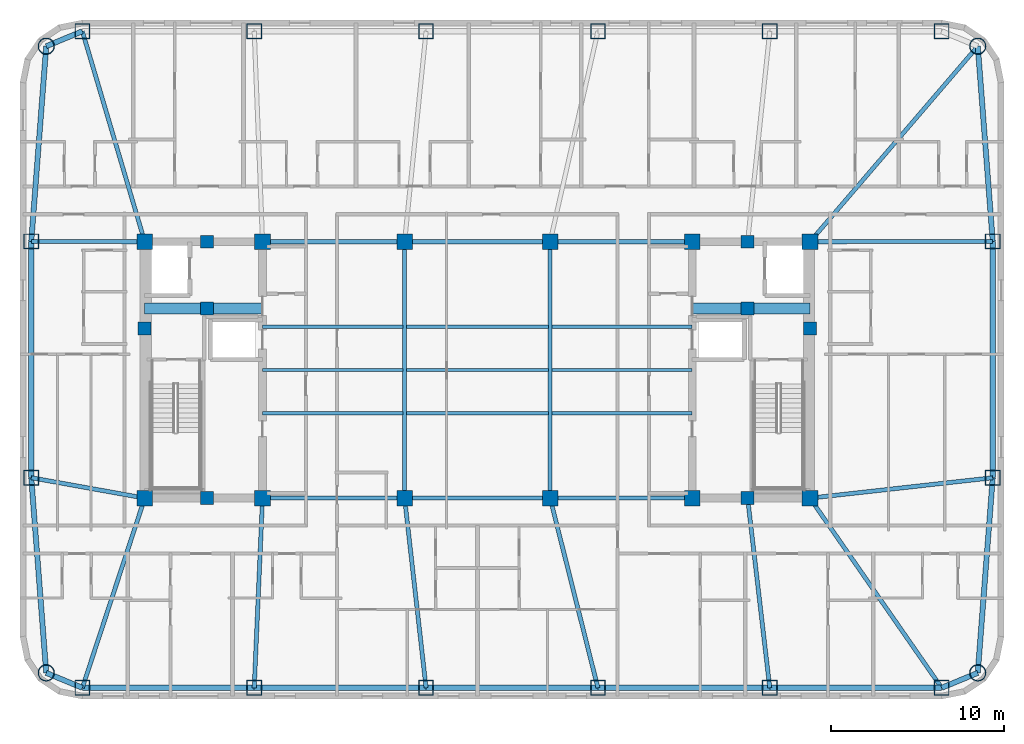
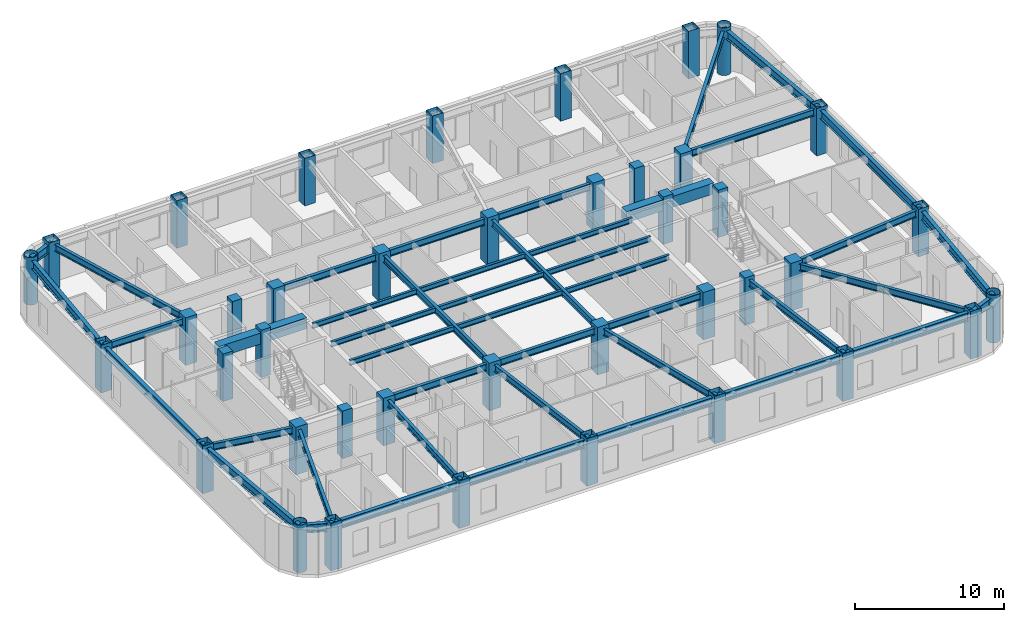
# One storey, part 1 of 11: 45 beams, 40 columns.
"""IFC4 building model written with IfcOpenShell, lengths in metres."""

from ifc_helpers import new_model, si_unit, direction, frame, origin, origin_2d, place, context, subcontext, project, spatial, rectangle, hollow_rectangle, hollow_circle, i_section, extrude, material, material_profile, profile_set, type_object, element, save


model = new_model("IFC4")

# Units and contexts
model_context = context("Model", 3, precision=1e-05, world=origin(), true_north=direction((0.0, 1.0)))
body_context = subcontext(model_context, "Body", "Model", "MODEL_VIEW")
ifc_project = project(units=[si_unit("LENGTHUNIT", "METRE"), si_unit("AREAUNIT", "SQUARE_METRE"), si_unit("VOLUMEUNIT", "CUBIC_METRE"), si_unit("PLANEANGLEUNIT", "RADIAN"), si_unit("MASSUNIT", "GRAM", prefix="KILO")], contexts=[model_context])

# Site, building, storey
site_placement = place(None, origin())
site = spatial("IfcSite", under=ifc_project, at=site_placement, CompositionType="ELEMENT")
building_placement = place(site_placement, origin())
building = spatial("IfcBuilding", under=site, at=building_placement, Name="Voryun Gate Residences", CompositionType="ELEMENT")
storey_placement = place(building_placement, frame((0.0, 0.0, 247.0)))
storey = spatial("IfcBuildingStorey", under=building, at=storey_placement, Name="L61", CompositionType="ELEMENT", Elevation=247.0)

# Columns
ifc_material_1 = material(Name="Concrete C50/60", Category="concrete")
ifc_material_profile_1 = material_profile(ifc_material_1, rectangle(XDim=0.75, YDim=0.75, at=origin_2d()), Name="RC-750x750")
ifc_profile_set_1 = profile_set([ifc_material_profile_1], Name="Concrete C50/60")
column_type_1 = type_object("IfcColumnType", Name="COL_CORE_750", PredefinedType="COLUMN", material=ifc_profile_set_1)
for number, where, z_axis, x_axis, name in (
    (1, (-19.199951171875, 2.39990234375, 0.0), (0.0, 0.0, 1.0), (1.0, 0.0, 0.0), "L61 Core boundary column WC-MW"),
    (2, (-15.60009765625, -7.39990234375, 0.0), (0.0, 0.0, 1.0), (1.0, 0.0, 0.0), "L61 Core boundary column WC-SM"),
    (3, (-15.60009765625, 7.39990234375, 0.0), (0.0, 0.0, 1.0), (1.0, 0.0, 0.0), "L61 Core boundary column WC-NM"),
    (4, (-15.60009765625, 3.550048828125, 0.0), (0.0, 0.0, 1.0), (1.0, 0.0, 0.0), "L61 Core boundary column WC-MM"),
    (5, (15.60009765625, 3.550048828125, 0.0), (0.0, 0.0, 1.0), (1.0, 0.0, 0.0), "L61 Core boundary column EC-MM"),
    (6, (15.60009765625, -7.39990234375, 0.0), (0.0, 0.0, 1.0), (1.0, 0.0, 0.0), "L61 Core boundary column EC-SM"),
    (7, (15.60009765625, 7.39990234375, 0.0), (0.0, 0.0, 1.0), (1.0, 0.0, 0.0), "L61 Core boundary column EC-NM"),
    (8, (19.199951171875, 2.39990234375, 0.0), (0.0, 0.0, 1.0), (1.0, 0.0, 0.0), "L61 Core boundary column EC-ME"),
):
    element("IfcColumn", number, at=place(storey_placement, frame(where, z_axis=z_axis, x_axis=x_axis)), inside=storey, type_object=column_type_1, Name=name, PredefinedType="COLUMN", context=body_context, shape_type="SweptSolid", body=[
        extrude(rectangle(XDim=0.75, YDim=0.75, at=origin_2d()), origin(), (0.0, 0.0, 1.0), 3.89990234375),
    ])
ifc_material_2 = material(Name="Concrete C50/60", Category="concrete")
ifc_material_profile_2 = material_profile(ifc_material_2, rectangle(XDim=0.89990234375, YDim=0.89990234375, at=origin_2d()), Name="RC-900x900")
ifc_profile_set_2 = profile_set([ifc_material_profile_2], Name="Concrete C50/60")
column_type_2 = type_object("IfcColumnType", Name="COL_CORE_900", PredefinedType="COLUMN", material=ifc_profile_set_2)
for number, where, z_axis, x_axis, name in (
    (9, (-19.199951171875, -7.39990234375, 0.0), (0.0, 0.0, 1.0), (1.0, 0.0, 0.0), "L61 Core boundary column WC-SW"),
    (10, (-19.199951171875, 7.39990234375, 0.0), (0.0, 0.0, 1.0), (1.0, 0.0, 0.0), "L61 Core boundary column WC-NW"),
    (11, (-12.39990234375, -7.39990234375, 0.0), (0.0, 0.0, 1.0), (1.0, 0.0, 0.0), "L61 Core boundary column WC-SE"),
    (12, (-12.39990234375, 7.39990234375, 0.0), (0.0, 0.0, 1.0), (1.0, 0.0, 0.0), "L61 Core boundary column WC-NE"),
    (13, (12.39990234375, -7.39990234375, 0.0), (0.0, 0.0, 1.0), (1.0, 0.0, 0.0), "L61 Core boundary column EC-SW"),
    (14, (12.39990234375, 7.39990234375, 0.0), (0.0, 0.0, 1.0), (1.0, 0.0, 0.0), "L61 Core boundary column EC-NW"),
    (15, (19.199951171875, -7.39990234375, 0.0), (0.0, 0.0, 1.0), (1.0, 0.0, 0.0), "L61 Core boundary column EC-SE"),
    (16, (19.199951171875, 7.39990234375, 0.0), (0.0, 0.0, 1.0), (1.0, 0.0, 0.0), "L61 Core boundary column EC-NE"),
    (17, (-4.199951171875, -7.39990234375, 0.0), (0.0, 0.0, 1.0), (1.0, 0.0, 0.0), "L61 Interior spine column SP-WS"),
    (18, (-4.199951171875, 7.39990234375, 0.0), (0.0, 0.0, 1.0), (1.0, 0.0, 0.0), "L61 Interior spine column SP-WN"),
    (19, (4.199951171875, -7.39990234375, 0.0), (0.0, 0.0, 1.0), (1.0, 0.0, 0.0), "L61 Interior spine column SP-ES"),
    (20, (4.199951171875, 7.39990234375, 0.0), (0.0, 0.0, 1.0), (1.0, 0.0, 0.0), "L61 Interior spine column SP-EN"),
):
    element("IfcColumn", number, at=place(storey_placement, frame(where, z_axis=z_axis, x_axis=x_axis)), inside=storey, type_object=column_type_2, Name=name, PredefinedType="COLUMN", context=body_context, shape_type="SweptSolid", body=[
        extrude(rectangle(XDim=0.89990234375, YDim=0.89990234375, at=origin_2d()), origin(), (0.0, 0.0, 1.0), 3.89990234375),
    ])
ifc_material_3 = material(Name="Steel SM420", Category="steel")
ifc_material_profile_3 = material_profile(ifc_material_3, hollow_circle(Radius=0.47509765625, WallThickness=0.031982421875, at=origin_2d()), Name="CHS-950x32")
ifc_profile_set_3 = profile_set([ifc_material_profile_3], Name="Steel SM420")
column_type_3 = type_object("IfcColumnType", Name="COL_CRN_950", PredefinedType="COLUMN", material=ifc_profile_set_3)
for number, where, z_axis, x_axis, name in (
    (21, (28.885986328125, -17.486083984375, 0.0), (0.0, 0.0, 1.0), (1.0, 0.0, 0.0), "L61 Exoskeleton column CSE"),
    (22, (28.885986328125, 18.68603515625, 0.0), (0.0, 0.0, 1.0), (1.0, 0.0, 0.0), "L61 Exoskeleton column CNE"),
    (23, (-24.885986328125, 18.68603515625, 0.0), (0.0, 0.0, 1.0), (1.0, 0.0, 0.0), "L61 Exoskeleton column CNW"),
    (24, (-24.885986328125, -17.486083984375, 0.0), (0.0, 0.0, 1.0), (1.0, 0.0, 0.0), "L61 Exoskeleton column CSW"),
):
    element("IfcColumn", number, at=place(storey_placement, frame(where, z_axis=z_axis, x_axis=x_axis)), inside=storey, type_object=column_type_3, Name=name, PredefinedType="COLUMN", context=body_context, shape_type="SweptSolid", body=[
        extrude(hollow_circle(Radius=0.47509765625, WallThickness=0.031982421875, at=origin_2d()), origin(), (0.0, 0.0, 1.0), 3.89990234375),
    ])
ifc_material_4 = material(Name="Steel SM355", Category="steel")
ifc_material_profile_4 = material_profile(ifc_material_4, hollow_rectangle(XDim=0.85009765625, YDim=0.85009765625, WallThickness=0.028076171875, at=origin_2d()), Name="BOX-850x850x28")
ifc_profile_set_4 = profile_set([ifc_material_profile_4], Name="Steel SM355")
column_type_4 = type_object("IfcColumnType", Name="COL_EXO_B4", PredefinedType="COLUMN", material=ifc_profile_set_4)
for number, where, z_axis, x_axis, name in (
    (25, (-22.800048828125, -18.35009765625, 0.0), (0.0, 0.0, 1.0), (1.0, 0.0, 0.0), "L61 Exoskeleton column S1"),
    (26, (-12.8798828125, -18.35009765625, 0.0), (0.0, 0.0, 1.0), (1.0, 0.0, 0.0), "L61 Exoskeleton column S2"),
    (27, (-2.9599609375, -18.35009765625, 0.0), (0.0, 0.0, 1.0), (1.0, 0.0, 0.0), "L61 Exoskeleton column S3"),
    (28, (6.9599609375, -18.35009765625, 0.0), (0.0, 0.0, 1.0), (1.0, 0.0, 0.0), "L61 Exoskeleton column S4"),
    (29, (16.8798828125, -18.35009765625, 0.0), (0.0, 0.0, 1.0), (1.0, 0.0, 0.0), "L61 Exoskeleton column S5"),
    (30, (26.800048828125, -18.35009765625, 0.0), (0.0, 0.0, 1.0), (1.0, 0.0, 0.0), "L61 Exoskeleton column S6"),
    (31, (29.75, -6.221923828125, 0.0), (0.0, 0.0, 1.0), (1.0, 0.0, 0.0), "L61 Exoskeleton column E1"),
    (32, (29.75, 7.422119140625, 0.0), (0.0, 0.0, 1.0), (1.0, 0.0, 0.0), "L61 Exoskeleton column E2"),
    (33, (26.800048828125, 19.550048828125, 0.0), (0.0, 0.0, 1.0), (1.0, 0.0, 0.0), "L61 Exoskeleton column N1"),
    (34, (16.8798828125, 19.550048828125, 0.0), (0.0, 0.0, 1.0), (1.0, 0.0, 0.0), "L61 Exoskeleton column N2"),
    (35, (6.9599609375, 19.550048828125, 0.0), (0.0, 0.0, 1.0), (1.0, 0.0, 0.0), "L61 Exoskeleton column N3"),
    (36, (-2.9599609375, 19.550048828125, 0.0), (0.0, 0.0, 1.0), (1.0, 0.0, 0.0), "L61 Exoskeleton column N4"),
    (37, (-12.8798828125, 19.550048828125, 0.0), (0.0, 0.0, 1.0), (1.0, 0.0, 0.0), "L61 Exoskeleton column N5"),
    (38, (-22.800048828125, 19.550048828125, 0.0), (0.0, 0.0, 1.0), (1.0, 0.0, 0.0), "L61 Exoskeleton column N6"),
    (39, (-25.75, 7.422119140625, 0.0), (0.0, 0.0, 1.0), (1.0, 0.0, 0.0), "L61 Exoskeleton column W1"),
    (40, (-25.75, -6.221923828125, 0.0), (0.0, 0.0, 1.0), (1.0, 0.0, 0.0), "L61 Exoskeleton column W2"),
):
    element("IfcColumn", number, at=place(storey_placement, frame(where, z_axis=z_axis, x_axis=x_axis)), inside=storey, type_object=column_type_4, Name=name, PredefinedType="COLUMN", context=body_context, shape_type="SweptSolid", body=[
        extrude(hollow_rectangle(XDim=0.85009765625, YDim=0.85009765625, WallThickness=0.028076171875, at=origin_2d()), origin(), (0.0, 0.0, 1.0), 3.89990234375),
    ])

# Beams
ifc_material_5 = material(Name="Concrete C60/75", Category="concrete")
ifc_material_profile_5 = material_profile(ifc_material_5, rectangle(XDim=0.64990234375, YDim=0.89990234375, at=origin_2d()), Name="RC-650x900")
ifc_profile_set_5 = profile_set([ifc_material_profile_5], Name="Concrete C60/75")
beam_type_1 = type_object("IfcBeamType", Name="BM_COUP_RC900", PredefinedType="LINTEL", material=ifc_profile_set_5)
for number, where, z_axis, x_axis, name in (
    (41, (-19.199951171875, 3.550048828125, 3.199951171875), (1.0, 0.0, 0.0), (0.0, 1.0, 0.0), "BM-L61-WC1"),
    (42, (12.39990234375, 3.550048828125, 3.199951171875), (1.0, 0.0, 0.0), (0.0, 1.0, 0.0), "BM-L61-EC1"),
):
    element("IfcBeam", number, at=place(storey_placement, frame(where, z_axis=z_axis, x_axis=x_axis)), inside=storey, type_object=beam_type_1, Name=name, PredefinedType="LINTEL", context=body_context, shape_type="SweptSolid", body=[
        extrude(rectangle(XDim=0.64990234375, YDim=0.89990234375, at=origin_2d()), origin(), (0.0, 0.0, 1.0), 6.800048828125),
    ])
ifc_material_6 = material(Name="Steel SM355", Category="steel")
ifc_material_profile_6 = material_profile(ifc_material_6, i_section(OverallWidth=0.300048828125, OverallDepth=0.679931640625, WebThickness=0.013916015625, FlangeThickness=0.02490234375, FilletRadius=0.01806640625, at=origin_2d()), Name="H-680x300x14x25")
ifc_profile_set_6 = profile_set([ifc_material_profile_6], Name="Steel SM355")
beam_type_2 = type_object("IfcBeamType", Name="BM_EXO_SPANDREL_M", PredefinedType="SPANDREL", material=ifc_profile_set_6)
beam_1_placement = place(storey_placement, frame((-22.800048828125, -18.35009765625, 3.31005859375), z_axis=(1.0, 0.0, 0.0), x_axis=(0.0, 1.0, 0.0)))
element("IfcBeam", 43, at=beam_1_placement, inside=storey, type_object=beam_type_2, Name="BM-L61-SPAND-01", PredefinedType="SPANDREL", context=body_context, shape_type="SweptSolid", body=[
    extrude(i_section(OverallWidth=0.300048828125, OverallDepth=0.679931640625, WebThickness=0.013916015625, FlangeThickness=0.02490234375, FilletRadius=0.01806640625, at=origin_2d()), origin(), (0.0, 0.0, 1.0), 9.920166015625),
])
for number, where, z_axis, x_axis, name in (
    (44, (-12.8798828125, -18.35009765625, 3.31005859375), (1.0, 0.0, 0.0), (0.0, 1.0, 0.0), "BM-L61-SPAND-02"),
    (45, (-2.9599609375, -18.35009765625, 3.31005859375), (1.0, 0.0, 0.0), (0.0, 1.0, 0.0), "BM-L61-SPAND-03"),
    (46, (6.9599609375, -18.35009765625, 3.31005859375), (1.0, 0.0, 0.0), (0.0, 1.0, 0.0), "BM-L61-SPAND-04"),
):
    element("IfcBeam", number, at=place(storey_placement, frame(where, z_axis=z_axis, x_axis=x_axis)), inside=storey, type_object=beam_type_2, Name=name, PredefinedType="SPANDREL", context=body_context, shape_type="SweptSolid", body=[
        extrude(i_section(OverallWidth=0.300048828125, OverallDepth=0.679931640625, WebThickness=0.013916015625, FlangeThickness=0.02490234375, FilletRadius=0.01806640625, at=origin_2d()), origin(), (0.0, 0.0, 1.0), 9.919921875),
    ])
beam_2_placement = place(storey_placement, frame((16.8798828125, -18.35009765625, 3.31005859375), z_axis=(1.0, 0.0, 0.0), x_axis=(0.0, 1.0, 0.0)))
element("IfcBeam", 47, at=beam_2_placement, inside=storey, type_object=beam_type_2, Name="BM-L61-SPAND-05", PredefinedType="SPANDREL", context=body_context, shape_type="SweptSolid", body=[
    extrude(i_section(OverallWidth=0.300048828125, OverallDepth=0.679931640625, WebThickness=0.013916015625, FlangeThickness=0.02490234375, FilletRadius=0.01806640625, at=origin_2d()), origin(), (0.0, 0.0, 1.0), 9.920166015625),
])
beam_3_placement = place(storey_placement, frame((26.800048828125, -18.35009765625, 3.31005859375), z_axis=(0.923881087602, 0.382679678022, 0.0), x_axis=(-0.382679678022, 0.923881087602, 0.0)))
element("IfcBeam", 48, at=beam_3_placement, inside=storey, type_object=beam_type_2, Name="BM-L61-SPAND-06", PredefinedType="SPANDREL", context=body_context, shape_type="SweptSolid", body=[
    extrude(i_section(OverallWidth=0.300048828125, OverallDepth=0.679931640625, WebThickness=0.013916015625, FlangeThickness=0.02490234375, FilletRadius=0.01806640625, at=origin_2d()), origin(), (0.0, 0.0, 1.0), 2.2578125),
])
beam_4_placement = place(storey_placement, frame((28.885986328125, -17.486083984375, 3.31005859375), z_axis=(0.076480009441, 0.997071114894, 0.0), x_axis=(-0.997071114894, 0.076480009441, 0.0)))
element("IfcBeam", 49, at=beam_4_placement, inside=storey, type_object=beam_type_2, Name="BM-L61-SPAND-07", PredefinedType="SPANDREL", context=body_context, shape_type="SweptSolid", body=[
    extrude(i_section(OverallWidth=0.300048828125, OverallDepth=0.679931640625, WebThickness=0.013916015625, FlangeThickness=0.02490234375, FilletRadius=0.01806640625, at=origin_2d()), origin(), (0.0, 0.0, 1.0), 11.29736328125),
])
beam_5_placement = place(storey_placement, frame((29.75, -6.221923828125, 3.31005859375), z_axis=(0.0, 1.0, 0.0), x_axis=(-1.0, 0.0, 0.0)))
element("IfcBeam", 50, at=beam_5_placement, inside=storey, type_object=beam_type_2, Name="BM-L61-SPAND-08", PredefinedType="SPANDREL", context=body_context, shape_type="SweptSolid", body=[
    extrude(i_section(OverallWidth=0.300048828125, OverallDepth=0.679931640625, WebThickness=0.013916015625, FlangeThickness=0.02490234375, FilletRadius=0.01806640625, at=origin_2d()), origin(), (0.0, 0.0, 1.0), 13.64404296875),
])
beam_6_placement = place(storey_placement, frame((29.75, 7.422119140625, 3.31005859375), z_axis=(-0.076481657417, 0.997070988485, 0.0), x_axis=(-0.997070988485, -0.076481657417, 0.0)))
element("IfcBeam", 51, at=beam_6_placement, inside=storey, type_object=beam_type_2, Name="BM-L61-SPAND-09", PredefinedType="SPANDREL", context=body_context, shape_type="SweptSolid", body=[
    extrude(i_section(OverallWidth=0.300048828125, OverallDepth=0.679931640625, WebThickness=0.013916015625, FlangeThickness=0.02490234375, FilletRadius=0.01806640625, at=origin_2d()), origin(), (0.0, 0.0, 1.0), 11.297119140625),
])
beam_7_placement = place(storey_placement, frame((-22.800048828125, 19.550048828125, 3.31005859375), z_axis=(-0.923881087602, -0.382679678022, 0.0), x_axis=(0.382679678022, -0.923881087602, 0.0)))
element("IfcBeam", 52, at=beam_7_placement, inside=storey, type_object=beam_type_2, Name="BM-L61-SPAND-16", PredefinedType="SPANDREL", context=body_context, shape_type="SweptSolid", body=[
    extrude(i_section(OverallWidth=0.300048828125, OverallDepth=0.679931640625, WebThickness=0.013916015625, FlangeThickness=0.02490234375, FilletRadius=0.01806640625, at=origin_2d()), origin(), (0.0, 0.0, 1.0), 2.2578125),
])
beam_8_placement = place(storey_placement, frame((-24.885986328125, 18.68603515625, 3.31005859375), z_axis=(-0.076481657417, -0.997070988485, 0.0), x_axis=(0.997070988485, -0.076481657417, 0.0)))
element("IfcBeam", 53, at=beam_8_placement, inside=storey, type_object=beam_type_2, Name="BM-L61-SPAND-17", PredefinedType="SPANDREL", context=body_context, shape_type="SweptSolid", body=[
    extrude(i_section(OverallWidth=0.300048828125, OverallDepth=0.679931640625, WebThickness=0.013916015625, FlangeThickness=0.02490234375, FilletRadius=0.01806640625, at=origin_2d()), origin(), (0.0, 0.0, 1.0), 11.297119140625),
])
beam_9_placement = place(storey_placement, frame((-25.75, 7.422119140625, 3.31005859375), z_axis=(0.0, -1.0, 0.0), x_axis=(1.0, 0.0, 0.0)))
element("IfcBeam", 54, at=beam_9_placement, inside=storey, type_object=beam_type_2, Name="BM-L61-SPAND-18", PredefinedType="SPANDREL", context=body_context, shape_type="SweptSolid", body=[
    extrude(i_section(OverallWidth=0.300048828125, OverallDepth=0.679931640625, WebThickness=0.013916015625, FlangeThickness=0.02490234375, FilletRadius=0.01806640625, at=origin_2d()), origin(), (0.0, 0.0, 1.0), 13.64404296875),
])
beam_10_placement = place(storey_placement, frame((-25.75, -6.221923828125, 3.31005859375), z_axis=(0.076480009441, -0.997071114894, 0.0), x_axis=(0.997071114894, 0.076480009441, 0.0)))
element("IfcBeam", 55, at=beam_10_placement, inside=storey, type_object=beam_type_2, Name="BM-L61-SPAND-19", PredefinedType="SPANDREL", context=body_context, shape_type="SweptSolid", body=[
    extrude(i_section(OverallWidth=0.300048828125, OverallDepth=0.679931640625, WebThickness=0.013916015625, FlangeThickness=0.02490234375, FilletRadius=0.01806640625, at=origin_2d()), origin(), (0.0, 0.0, 1.0), 11.29736328125),
])
beam_11_placement = place(storey_placement, frame((-24.885986328125, -17.486083984375, 3.31005859375), z_axis=(0.923881087602, -0.382679678022, 0.0), x_axis=(0.382679678022, 0.923881087602, 0.0)))
element("IfcBeam", 56, at=beam_11_placement, inside=storey, type_object=beam_type_2, Name="BM-L61-SPAND-20", PredefinedType="SPANDREL", context=body_context, shape_type="SweptSolid", body=[
    extrude(i_section(OverallWidth=0.300048828125, OverallDepth=0.679931640625, WebThickness=0.013916015625, FlangeThickness=0.02490234375, FilletRadius=0.01806640625, at=origin_2d()), origin(), (0.0, 0.0, 1.0), 2.2578125),
])
ifc_material_7 = material(Name="Steel SM355", Category="steel")
ifc_material_profile_7 = material_profile(ifc_material_7, i_section(OverallWidth=0.239990234375, OverallDepth=0.550048828125, WebThickness=0.011962890625, FlangeThickness=0.02001953125, FilletRadius=0.01806640625, at=origin_2d()), Name="H-550x240x12x20")
ifc_profile_set_7 = profile_set([ifc_material_profile_7], Name="Steel SM355")
beam_type_3 = type_object("IfcBeamType", Name="BM_GIRD_550", PredefinedType="USERDEFINED", material=ifc_profile_set_7)
beam_12_placement = place(storey_placement, frame((-12.39990234375, -7.39990234375, 3.375), z_axis=(1.0, 0.0, 0.0), x_axis=(0.0, 1.0, 0.0)))
element("IfcBeam", 57, at=beam_12_placement, inside=storey, type_object=beam_type_3, Name="BM-L61-SPG1-S", ObjectType="GIRDER", PredefinedType="USERDEFINED", context=body_context, shape_type="SweptSolid", body=[
    extrude(i_section(OverallWidth=0.239990234375, OverallDepth=0.550048828125, WebThickness=0.011962890625, FlangeThickness=0.02001953125, FilletRadius=0.01806640625, at=origin_2d()), origin(), (0.0, 0.0, 1.0), 8.199951171875),
])
beam_13_placement = place(storey_placement, frame((-4.199951171875, -7.39990234375, 3.375), z_axis=(1.0, 0.0, 0.0), x_axis=(0.0, 1.0, 0.0)))
element("IfcBeam", 58, at=beam_13_placement, inside=storey, type_object=beam_type_3, Name="BM-L61-SPG2-S", ObjectType="GIRDER", PredefinedType="USERDEFINED", context=body_context, shape_type="SweptSolid", body=[
    extrude(i_section(OverallWidth=0.239990234375, OverallDepth=0.550048828125, WebThickness=0.011962890625, FlangeThickness=0.02001953125, FilletRadius=0.01806640625, at=origin_2d()), origin(), (0.0, 0.0, 1.0), 8.39990234375),
])
for number, where, z_axis, x_axis, name in (
    (59, (4.199951171875, -7.39990234375, 3.375), (1.0, 0.0, 0.0), (0.0, 1.0, 0.0), "BM-L61-SPG3-S"),
    (60, (-12.39990234375, 7.39990234375, 3.375), (1.0, 0.0, 0.0), (0.0, 1.0, 0.0), "BM-L61-SPG1-N"),
):
    element("IfcBeam", number, at=place(storey_placement, frame(where, z_axis=z_axis, x_axis=x_axis)), inside=storey, type_object=beam_type_3, Name=name, ObjectType="GIRDER", PredefinedType="USERDEFINED", context=body_context, shape_type="SweptSolid", body=[
        extrude(i_section(OverallWidth=0.239990234375, OverallDepth=0.550048828125, WebThickness=0.011962890625, FlangeThickness=0.02001953125, FilletRadius=0.01806640625, at=origin_2d()), origin(), (0.0, 0.0, 1.0), 8.199951171875),
    ])
beam_14_placement = place(storey_placement, frame((-4.199951171875, 7.39990234375, 3.375), z_axis=(1.0, 0.0, 0.0), x_axis=(0.0, 1.0, 0.0)))
element("IfcBeam", 61, at=beam_14_placement, inside=storey, type_object=beam_type_3, Name="BM-L61-SPG2-N", ObjectType="GIRDER", PredefinedType="USERDEFINED", context=body_context, shape_type="SweptSolid", body=[
    extrude(i_section(OverallWidth=0.239990234375, OverallDepth=0.550048828125, WebThickness=0.011962890625, FlangeThickness=0.02001953125, FilletRadius=0.01806640625, at=origin_2d()), origin(), (0.0, 0.0, 1.0), 8.39990234375),
])
beam_15_placement = place(storey_placement, frame((4.199951171875, 7.39990234375, 3.375), z_axis=(1.0, 0.0, 0.0), x_axis=(0.0, 1.0, 0.0)))
element("IfcBeam", 62, at=beam_15_placement, inside=storey, type_object=beam_type_3, Name="BM-L61-SPG3-N", ObjectType="GIRDER", PredefinedType="USERDEFINED", context=body_context, shape_type="SweptSolid", body=[
    extrude(i_section(OverallWidth=0.239990234375, OverallDepth=0.550048828125, WebThickness=0.011962890625, FlangeThickness=0.02001953125, FilletRadius=0.01806640625, at=origin_2d()), origin(), (0.0, 0.0, 1.0), 8.199951171875),
])
for number, where, z_axis, x_axis, name in (
    (63, (-4.199951171875, -7.39990234375, 3.375), (0.0, 1.0, 0.0), (-1.0, 0.0, 0.0), "BM-L61-SPX-W"),
    (64, (4.199951171875, -7.39990234375, 3.375), (0.0, 1.0, 0.0), (-1.0, 0.0, 0.0), "BM-L61-SPX-E"),
):
    element("IfcBeam", number, at=place(storey_placement, frame(where, z_axis=z_axis, x_axis=x_axis)), inside=storey, type_object=beam_type_3, Name=name, ObjectType="GIRDER", PredefinedType="USERDEFINED", context=body_context, shape_type="SweptSolid", body=[
        extrude(i_section(OverallWidth=0.239990234375, OverallDepth=0.550048828125, WebThickness=0.011962890625, FlangeThickness=0.02001953125, FilletRadius=0.01806640625, at=origin_2d()), origin(), (0.0, 0.0, 1.0), 14.7998046875),
    ])
beam_16_placement = place(storey_placement, frame((-19.199951171875, -7.39990234375, 3.375), z_axis=(-0.312323693326, -0.949975742104, 0.0), x_axis=(0.949975742104, -0.312323693326, 0.0)))
element("IfcBeam", 65, at=beam_16_placement, inside=storey, type_object=beam_type_3, Name="BM-L61-RAD-S1", ObjectType="GIRDER", PredefinedType="USERDEFINED", context=body_context, shape_type="SweptSolid", body=[
    extrude(i_section(OverallWidth=0.239990234375, OverallDepth=0.550048828125, WebThickness=0.011962890625, FlangeThickness=0.02001953125, FilletRadius=0.01806640625, at=origin_2d()), origin(), (0.0, 0.0, 1.0), 11.52685546875),
])
beam_17_placement = place(storey_placement, frame((-12.39990234375, -7.39990234375, 3.375), z_axis=(-0.043791002488, -0.999040713936, 0.0), x_axis=(0.999040713936, -0.043791002488, 0.0)))
element("IfcBeam", 66, at=beam_17_placement, inside=storey, type_object=beam_type_3, Name="BM-L61-RAD-S2", ObjectType="GIRDER", PredefinedType="USERDEFINED", context=body_context, shape_type="SweptSolid", body=[
    extrude(i_section(OverallWidth=0.239990234375, OverallDepth=0.550048828125, WebThickness=0.011962890625, FlangeThickness=0.02001953125, FilletRadius=0.01806640625, at=origin_2d()), origin(), (0.0, 0.0, 1.0), 10.960693359375),
])
beam_18_placement = place(storey_placement, frame((-4.199951171875, -7.39990234375, 3.375), z_axis=(0.112519968476, -0.993649463691, 0.0), x_axis=(0.993649463691, 0.112519968476, 0.0)))
element("IfcBeam", 67, at=beam_18_placement, inside=storey, type_object=beam_type_3, Name="BM-L61-RAD-S3", ObjectType="GIRDER", PredefinedType="USERDEFINED", context=body_context, shape_type="SweptSolid", body=[
    extrude(i_section(OverallWidth=0.239990234375, OverallDepth=0.550048828125, WebThickness=0.011962890625, FlangeThickness=0.02001953125, FilletRadius=0.01806640625, at=origin_2d()), origin(), (0.0, 0.0, 1.0), 11.020263671875),
])
beam_19_placement = place(storey_placement, frame((4.199951171875, -7.39990234375, 3.375), z_axis=(0.24440715799, -0.969672697936, 0.0), x_axis=(0.969672697936, 0.24440715799, 0.0)))
element("IfcBeam", 68, at=beam_19_placement, inside=storey, type_object=beam_type_3, Name="BM-L61-RAD-S4", ObjectType="GIRDER", PredefinedType="USERDEFINED", context=body_context, shape_type="SweptSolid", body=[
    extrude(i_section(OverallWidth=0.239990234375, OverallDepth=0.550048828125, WebThickness=0.011962890625, FlangeThickness=0.02001953125, FilletRadius=0.01806640625, at=origin_2d()), origin(), (0.0, 0.0, 1.0), 11.292724609375),
])
beam_20_placement = place(storey_placement, frame((15.60009765625, -7.39990234375, 3.375), z_axis=(0.116083150214, -0.993239498931, 0.0), x_axis=(0.993239498931, 0.116083150214, 0.0)))
element("IfcBeam", 69, at=beam_20_placement, inside=storey, type_object=beam_type_3, Name="BM-L61-RAD-S5", ObjectType="GIRDER", PredefinedType="USERDEFINED", context=body_context, shape_type="SweptSolid", body=[
    extrude(i_section(OverallWidth=0.239990234375, OverallDepth=0.550048828125, WebThickness=0.011962890625, FlangeThickness=0.02001953125, FilletRadius=0.01806640625, at=origin_2d()), origin(), (0.0, 0.0, 1.0), 11.024658203125),
])
beam_21_placement = place(storey_placement, frame((19.199951171875, -7.39990234375, 3.375), z_axis=(0.570182975489, -0.821517726201, 0.0), x_axis=(0.821517726201, 0.570182975489, 0.0)))
element("IfcBeam", 70, at=beam_21_placement, inside=storey, type_object=beam_type_3, Name="BM-L61-RAD-S6", ObjectType="GIRDER", PredefinedType="USERDEFINED", context=body_context, shape_type="SweptSolid", body=[
    extrude(i_section(OverallWidth=0.239990234375, OverallDepth=0.550048828125, WebThickness=0.011962890625, FlangeThickness=0.02001953125, FilletRadius=0.01806640625, at=origin_2d()), origin(), (0.0, 0.0, 1.0), 13.329345703125),
])
beam_22_placement = place(storey_placement, frame((19.199951171875, -7.39990234375, 3.375), z_axis=(0.993824131675, 0.110966640486, 0.0), x_axis=(-0.110966640486, 0.993824131675, 0.0)))
element("IfcBeam", 71, at=beam_22_placement, inside=storey, type_object=beam_type_3, Name="BM-L61-RAD-E1", ObjectType="GIRDER", PredefinedType="USERDEFINED", context=body_context, shape_type="SweptSolid", body=[
    extrude(i_section(OverallWidth=0.239990234375, OverallDepth=0.550048828125, WebThickness=0.011962890625, FlangeThickness=0.02001953125, FilletRadius=0.01806640625, at=origin_2d()), origin(), (0.0, 0.0, 1.0), 10.61572265625),
])
beam_23_placement = place(storey_placement, frame((19.199951171875, 7.39990234375, 3.375), z_axis=(0.99999778271, 0.002105843108, 0.0), x_axis=(-0.002105843108, 0.99999778271, 0.0)))
element("IfcBeam", 72, at=beam_23_placement, inside=storey, type_object=beam_type_3, Name="BM-L61-RAD-E2", ObjectType="GIRDER", PredefinedType="USERDEFINED", context=body_context, shape_type="SweptSolid", body=[
    extrude(i_section(OverallWidth=0.239990234375, OverallDepth=0.550048828125, WebThickness=0.011962890625, FlangeThickness=0.02001953125, FilletRadius=0.01806640625, at=origin_2d()), origin(), (0.0, 0.0, 1.0), 10.550048828125),
])
beam_24_placement = place(storey_placement, frame((19.199951171875, 7.39990234375, 3.375), z_axis=(0.651264396721, 0.758850898111, 0.0), x_axis=(-0.758850898111, 0.651264396721, 0.0)))
element("IfcBeam", 73, at=beam_24_placement, inside=storey, type_object=beam_type_3, Name="BM-L61-RAD-CNE", ObjectType="GIRDER", PredefinedType="USERDEFINED", context=body_context, shape_type="SweptSolid", body=[
    extrude(i_section(OverallWidth=0.239990234375, OverallDepth=0.550048828125, WebThickness=0.011962890625, FlangeThickness=0.02001953125, FilletRadius=0.01806640625, at=origin_2d()), origin(), (0.0, 0.0, 1.0), 14.87255859375),
])
beam_25_placement = place(storey_placement, frame((-19.199951171875, 7.39990234375, 3.375), z_axis=(-0.284092265434, 0.958796946553, 0.0), x_axis=(-0.958796946553, -0.284092265434, 0.0)))
element("IfcBeam", 74, at=beam_25_placement, inside=storey, type_object=beam_type_3, Name="BM-L61-RAD-N6", ObjectType="GIRDER", PredefinedType="USERDEFINED", context=body_context, shape_type="SweptSolid", body=[
    extrude(i_section(OverallWidth=0.239990234375, OverallDepth=0.550048828125, WebThickness=0.011962890625, FlangeThickness=0.02001953125, FilletRadius=0.01806640625, at=origin_2d()), origin(), (0.0, 0.0, 1.0), 12.67236328125),
])
beam_26_placement = place(storey_placement, frame((-19.199951171875, 7.39990234375, 3.375), z_axis=(-0.999994247719, 0.003391832589, 0.0), x_axis=(-0.003391832589, -0.999994247719, 0.0)))
element("IfcBeam", 75, at=beam_26_placement, inside=storey, type_object=beam_type_3, Name="BM-L61-RAD-W1", ObjectType="GIRDER", PredefinedType="USERDEFINED", context=body_context, shape_type="SweptSolid", body=[
    extrude(i_section(OverallWidth=0.239990234375, OverallDepth=0.550048828125, WebThickness=0.011962890625, FlangeThickness=0.02001953125, FilletRadius=0.01806640625, at=origin_2d()), origin(), (0.0, 0.0, 1.0), 6.550048828125),
])
beam_27_placement = place(storey_placement, frame((-19.199951171875, -7.39990234375, 3.375), z_axis=(-0.984210303638, 0.177003045773, 0.0), x_axis=(-0.177003045773, -0.984210303638, 0.0)))
element("IfcBeam", 76, at=beam_27_placement, inside=storey, type_object=beam_type_3, Name="BM-L61-RAD-W2", ObjectType="GIRDER", PredefinedType="USERDEFINED", context=body_context, shape_type="SweptSolid", body=[
    extrude(i_section(OverallWidth=0.239990234375, OverallDepth=0.550048828125, WebThickness=0.011962890625, FlangeThickness=0.02001953125, FilletRadius=0.01806640625, at=origin_2d()), origin(), (0.0, 0.0, 1.0), 6.655029296875),
])
ifc_material_8 = material(Name="Steel SM355", Category="steel")
ifc_material_profile_8 = material_profile(ifc_material_8, i_section(OverallWidth=0.18994140625, OverallDepth=0.419921875, WebThickness=0.009033203125, FlangeThickness=0.01611328125, FilletRadius=0.01806640625, at=origin_2d()), Name="H-420x190x9x16")
ifc_profile_set_8 = profile_set([ifc_material_profile_8], Name="Steel SM355")
beam_type_4 = type_object("IfcBeamType", Name="BM_SEC_420", PredefinedType="BEAM", material=ifc_profile_set_8)
beam_28_placement = place(storey_placement, frame((-12.39990234375, -2.5, 3.43994140625), z_axis=(1.0, 0.0, 0.0), x_axis=(0.0, 1.0, 0.0)))
element("IfcBeam", 77, at=beam_28_placement, inside=storey, type_object=beam_type_4, Name="BM-L61-SEC-CS1", PredefinedType="BEAM", context=body_context, shape_type="SweptSolid", body=[
    extrude(i_section(OverallWidth=0.18994140625, OverallDepth=0.419921875, WebThickness=0.009033203125, FlangeThickness=0.01611328125, FilletRadius=0.01806640625, at=origin_2d()), origin(), (0.0, 0.0, 1.0), 8.099853515625),
])
beam_29_placement = place(storey_placement, frame((-4.10009765625, -2.5, 3.43994140625), z_axis=(1.0, 0.0, 0.0), x_axis=(0.0, 1.0, 0.0)))
element("IfcBeam", 78, at=beam_29_placement, inside=storey, type_object=beam_type_4, Name="BM-L61-SEC-CS2", PredefinedType="BEAM", context=body_context, shape_type="SweptSolid", body=[
    extrude(i_section(OverallWidth=0.18994140625, OverallDepth=0.419921875, WebThickness=0.009033203125, FlangeThickness=0.01611328125, FilletRadius=0.01806640625, at=origin_2d()), origin(), (0.0, 0.0, 1.0), 8.2001953125),
])
for number, where, z_axis, x_axis, name in (
    (79, (4.300048828125, -2.5, 3.43994140625), (1.0, 0.0, 0.0), (0.0, 1.0, 0.0), "BM-L61-SEC-CS3"),
    (80, (-12.39990234375, 0.0, 3.43994140625), (1.0, 0.0, 0.0), (0.0, 1.0, 0.0), "BM-L61-SEC-CM1"),
):
    element("IfcBeam", number, at=place(storey_placement, frame(where, z_axis=z_axis, x_axis=x_axis)), inside=storey, type_object=beam_type_4, Name=name, PredefinedType="BEAM", context=body_context, shape_type="SweptSolid", body=[
        extrude(i_section(OverallWidth=0.18994140625, OverallDepth=0.419921875, WebThickness=0.009033203125, FlangeThickness=0.01611328125, FilletRadius=0.01806640625, at=origin_2d()), origin(), (0.0, 0.0, 1.0), 8.099853515625),
    ])
beam_30_placement = place(storey_placement, frame((-4.10009765625, 0.0, 3.43994140625), z_axis=(1.0, 0.0, 0.0), x_axis=(0.0, 1.0, 0.0)))
element("IfcBeam", 81, at=beam_30_placement, inside=storey, type_object=beam_type_4, Name="BM-L61-SEC-CM2", PredefinedType="BEAM", context=body_context, shape_type="SweptSolid", body=[
    extrude(i_section(OverallWidth=0.18994140625, OverallDepth=0.419921875, WebThickness=0.009033203125, FlangeThickness=0.01611328125, FilletRadius=0.01806640625, at=origin_2d()), origin(), (0.0, 0.0, 1.0), 8.2001953125),
])
for number, where, z_axis, x_axis, name in (
    (82, (4.300048828125, 0.0, 3.43994140625), (1.0, 0.0, 0.0), (0.0, 1.0, 0.0), "BM-L61-SEC-CM3"),
    (83, (-12.39990234375, 2.5, 3.43994140625), (1.0, 0.0, 0.0), (0.0, 1.0, 0.0), "BM-L61-SEC-CN1"),
):
    element("IfcBeam", number, at=place(storey_placement, frame(where, z_axis=z_axis, x_axis=x_axis)), inside=storey, type_object=beam_type_4, Name=name, PredefinedType="BEAM", context=body_context, shape_type="SweptSolid", body=[
        extrude(i_section(OverallWidth=0.18994140625, OverallDepth=0.419921875, WebThickness=0.009033203125, FlangeThickness=0.01611328125, FilletRadius=0.01806640625, at=origin_2d()), origin(), (0.0, 0.0, 1.0), 8.099853515625),
    ])
beam_31_placement = place(storey_placement, frame((-4.10009765625, 2.5, 3.43994140625), z_axis=(1.0, 0.0, 0.0), x_axis=(0.0, 1.0, 0.0)))
element("IfcBeam", 84, at=beam_31_placement, inside=storey, type_object=beam_type_4, Name="BM-L61-SEC-CN2", PredefinedType="BEAM", context=body_context, shape_type="SweptSolid", body=[
    extrude(i_section(OverallWidth=0.18994140625, OverallDepth=0.419921875, WebThickness=0.009033203125, FlangeThickness=0.01611328125, FilletRadius=0.01806640625, at=origin_2d()), origin(), (0.0, 0.0, 1.0), 8.2001953125),
])
beam_32_placement = place(storey_placement, frame((4.300048828125, 2.5, 3.43994140625), z_axis=(1.0, 0.0, 0.0), x_axis=(0.0, 1.0, 0.0)))
element("IfcBeam", 85, at=beam_32_placement, inside=storey, type_object=beam_type_4, Name="BM-L61-SEC-CN3", PredefinedType="BEAM", context=body_context, shape_type="SweptSolid", body=[
    extrude(i_section(OverallWidth=0.18994140625, OverallDepth=0.419921875, WebThickness=0.009033203125, FlangeThickness=0.01611328125, FilletRadius=0.01806640625, at=origin_2d()), origin(), (0.0, 0.0, 1.0), 8.099853515625),
])

save(model, "model.ifc")
